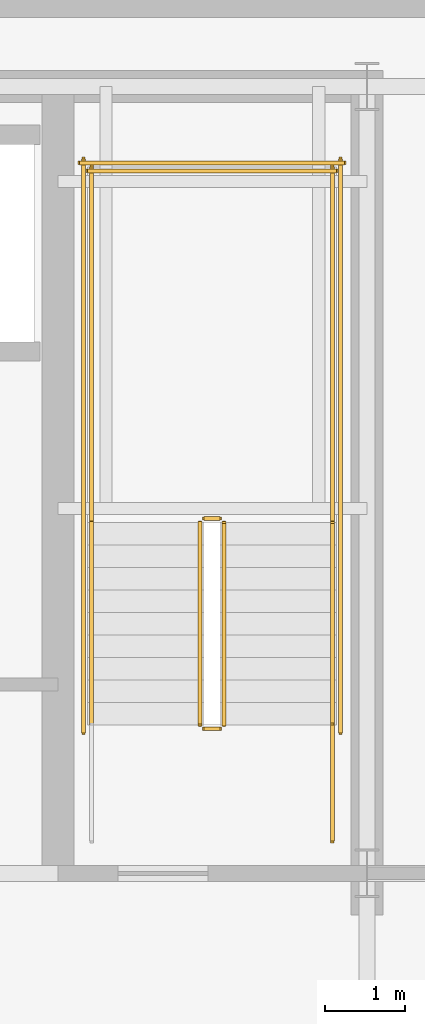
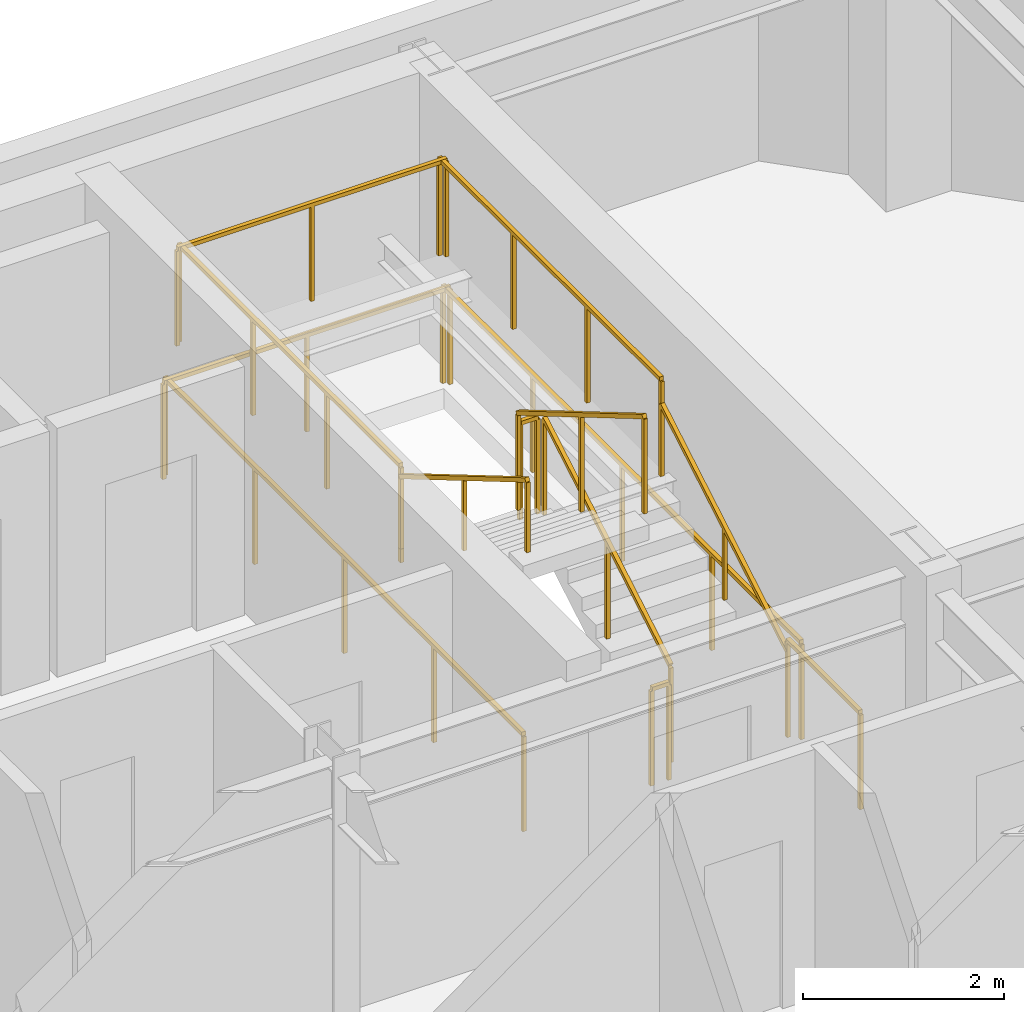
# One storey, part 11 of 14: 13 railings.
"""IFC4 building model written with IfcOpenShell, lengths in metres."""

from ifc_helpers import new_model, si_unit, direction, frame, origin, origin_2d, place, context, subcontext, project, spatial, rectangle, extrude, material, type_object, element, save


model = new_model("IFC4")

# Units and contexts
model_context = context("Model", 3, precision=1e-05, world=origin(), true_north=direction((0.0, 1.0)))
body_context = subcontext(model_context, "Body", "Model", "MODEL_VIEW")
ifc_project = project(units=[si_unit("LENGTHUNIT", "METRE"), si_unit("AREAUNIT", "SQUARE_METRE"), si_unit("VOLUMEUNIT", "CUBIC_METRE"), si_unit("PLANEANGLEUNIT", "RADIAN"), si_unit("MASSUNIT", "GRAM", prefix="KILO")], contexts=[model_context])

# Site, building, storey
site_placement = place(None, origin())
site = spatial("IfcSite", under=ifc_project, at=site_placement, CompositionType="ELEMENT")
building_placement = place(site_placement, origin())
building = spatial("IfcBuilding", under=site, at=building_placement, Name="Haevon Station Towers", CompositionType="ELEMENT")
storey_placement = place(building_placement, frame((0.0, 0.0, 205.5)))
storey = spatial("IfcBuildingStorey", under=building, at=storey_placement, Name="L56", CompositionType="ELEMENT", Elevation=205.5)

# Railings
ifc_material = material(Name="Steel S355", Category="steel")
railing_type_1 = type_object("IfcRailingType", Name="GRD-STR1200", PredefinedType="GUARDRAIL", material=ifc_material)
railing_1_placement = place(storey_placement, frame((49.219970703125, 40.050048828125, 0.1650390625)))
element("IfcRailing", 1, at=railing_1_placement, inside=storey, type_object=railing_type_1, Name="L56 ST2 Stair Guard 1", PredefinedType="GUARDRAIL", context=body_context, shape_type="SweptSolid", body=[
    extrude(rectangle(XDim=0.048095703125, YDim=0.048095703125, at=origin_2d()), frame((0.0, 0.0, 1.17578125), z_axis=(0.0, 0.861560626758, 0.507654692109), x_axis=(-1.0, 0.0, 0.0)), (0.0, 0.0, 1.0), 2.925048828125),
    extrude(rectangle(XDim=0.0419921875, YDim=0.0419921875, at=origin_2d()), origin(), (0.0, 0.0, 1.0), 1.15185546875),
    extrude(rectangle(XDim=0.0419921875, YDim=0.0419921875, at=origin_2d()), frame((0.0, 1.260009765625, 0.742431640625)), (0.0, 0.0, 1.0), 1.15185546875),
    extrude(rectangle(XDim=0.0419921875, YDim=0.0419921875, at=origin_2d()), frame((0.0, 2.52001953125, 1.48486328125)), (0.0, 0.0, 1.0), 1.15185546875),
])
railing_2_placement = place(storey_placement, frame((49.169921875, 42.6201171875, 1.64990234375)))
element("IfcRailing", 2, at=railing_2_placement, inside=storey, type_object=railing_type_1, Name="L56 ST2 Stair Guard 2", PredefinedType="GUARDRAIL", context=body_context, shape_type="SweptSolid", body=[
    extrude(rectangle(XDim=0.048095703125, YDim=0.048095703125, at=origin_2d()), frame((0.0, 0.0, 1.17578125), z_axis=(-1.0, 0.0, 0.0), x_axis=(0.0, -1.0, 0.0)), (0.0, 0.0, 1.0), 0.199951171875),
    extrude(rectangle(XDim=0.0419921875, YDim=0.0419921875, at=origin_2d()), origin(), (0.0, 0.0, 1.0), 1.15185546875),
    extrude(rectangle(XDim=0.0419921875, YDim=0.0419921875, at=origin_2d()), frame((-0.199951171875, 0.0, 0.0)), (0.0, 0.0, 1.0), 1.15185546875),
])
for number, where, name in (
    (3, (50.570068359375, 42.570068359375, 1.64990234375), "L56 ST2 Stair Guard 3"),
    (4, (47.570068359375, 42.570068359375, 1.64990234375), "L56 ST2 Stair Guard 4"),
):
    element("IfcRailing", number, at=place(storey_placement, frame(where)), inside=storey, type_object=railing_type_1, Name=name, PredefinedType="GUARDRAIL", context=body_context, shape_type="SweptSolid", body=[
        extrude(rectangle(XDim=0.048095703125, YDim=0.048095703125, at=origin_2d()), frame((0.0, 0.0, 1.17578125), z_axis=(0.0, 1.0, 0.0), x_axis=(-1.0, 0.0, 0.0)), (0.0, 0.0, 1.0), 4.429931640625),
        extrude(rectangle(XDim=0.0419921875, YDim=0.0419921875, at=origin_2d()), origin(), (0.0, 0.0, 1.0), 1.15185546875),
        extrude(rectangle(XDim=0.0419921875, YDim=0.0419921875, at=origin_2d()), frame((0.0, 1.4765625, 0.0)), (0.0, 0.0, 1.0), 1.15185546875),
        extrude(rectangle(XDim=0.0419921875, YDim=0.0419921875, at=origin_2d()), frame((0.0, 2.953369140625, 0.0)), (0.0, 0.0, 1.0), 1.15185546875),
        extrude(rectangle(XDim=0.0419921875, YDim=0.0419921875, at=origin_2d()), frame((0.0, 4.429931640625, 0.0)), (0.0, 0.0, 1.0), 1.15185546875),
    ])
railing_3_placement = place(storey_placement, frame((50.6201171875, 46.949951171875, 1.64990234375)))
element("IfcRailing", 5, at=railing_3_placement, inside=storey, type_object=railing_type_1, Name="L56 ST2 Stair Guard 5", PredefinedType="GUARDRAIL", context=body_context, shape_type="SweptSolid", body=[
    extrude(rectangle(XDim=0.048095703125, YDim=0.048095703125, at=origin_2d()), frame((0.0, 0.0, 1.17578125), z_axis=(-1.0, 0.0, 0.0), x_axis=(0.0, -1.0, 0.0)), (0.0, 0.0, 1.0), 3.10009765625),
    extrude(rectangle(XDim=0.0419921875, YDim=0.0419921875, at=origin_2d()), origin(), (0.0, 0.0, 1.0), 1.15185546875),
    extrude(rectangle(XDim=0.0419921875, YDim=0.0419921875, at=origin_2d()), frame((-1.550048828125, 0.0, 0.0)), (0.0, 0.0, 1.0), 1.15185546875),
    extrude(rectangle(XDim=0.0419921875, YDim=0.0419921875, at=origin_2d()), frame((-3.10009765625, 0.0, 0.0)), (0.0, 0.0, 1.0), 1.15185546875),
])
railing_4_placement = place(storey_placement, frame((48.919921875, 42.570068359375, 1.81494140625)))
element("IfcRailing", 6, at=railing_4_placement, inside=storey, type_object=railing_type_1, Name="L56 ST2 Stair Guard 6", PredefinedType="GUARDRAIL", context=body_context, shape_type="SweptSolid", body=[
    extrude(rectangle(XDim=0.048095703125, YDim=0.048095703125, at=origin_2d()), frame((0.0, 0.0, 1.17578125), z_axis=(0.0, -0.86152411907, 0.507716645641), x_axis=(1.0, 0.0, 0.0)), (0.0, 0.0, 1.0), 2.925048828125),
    extrude(rectangle(XDim=0.0419921875, YDim=0.0419921875, at=origin_2d()), origin(), (0.0, 0.0, 1.0), 1.15185546875),
    extrude(rectangle(XDim=0.0419921875, YDim=0.0419921875, at=origin_2d()), frame((0.0, -1.260009765625, 0.74267578125)), (0.0, 0.0, 1.0), 1.15185546875),
    extrude(rectangle(XDim=0.0419921875, YDim=0.0419921875, at=origin_2d()), frame((0.0, -2.52001953125, 1.485107421875)), (0.0, 0.0, 1.0), 1.15185546875),
])
railing_5_placement = place(storey_placement, frame((49.169921875, 40.0, 0.0)))
element("IfcRailing", 7, at=railing_5_placement, inside=storey, type_object=railing_type_1, Name="L56 ST2 Stair Guard 7", PredefinedType="GUARDRAIL", context=body_context, shape_type="SweptSolid", body=[
    extrude(rectangle(XDim=0.048095703125, YDim=0.048095703125, at=origin_2d()), frame((0.0, 0.0, 1.17578125), z_axis=(-1.0, 0.0, 0.0), x_axis=(0.0, -1.0, 0.0)), (0.0, 0.0, 1.0), 0.199951171875),
    extrude(rectangle(XDim=0.0419921875, YDim=0.0419921875, at=origin_2d()), origin(), (0.0, 0.0, 1.0), 1.15185546875),
    extrude(rectangle(XDim=0.0419921875, YDim=0.0419921875, at=origin_2d()), frame((-0.199951171875, 0.0, 0.0)), (0.0, 0.0, 1.0), 1.15185546875),
])
railing_6_placement = place(storey_placement, frame((50.570068359375, 38.60009765625, 0.0)))
element("IfcRailing", 8, at=railing_6_placement, inside=storey, type_object=railing_type_1, Name="L56 ST2 Stair Guard 8", PredefinedType="GUARDRAIL", context=body_context, shape_type="SweptSolid", body=[
    extrude(rectangle(XDim=0.048095703125, YDim=0.048095703125, at=origin_2d()), frame((0.0, 0.0, 1.17578125), z_axis=(0.0, 1.0, 0.0), x_axis=(-1.0, 0.0, 0.0)), (0.0, 0.0, 1.0), 1.449951171875),
    extrude(rectangle(XDim=0.0419921875, YDim=0.0419921875, at=origin_2d()), origin(), (0.0, 0.0, 1.0), 1.15185546875),
    extrude(rectangle(XDim=0.0419921875, YDim=0.0419921875, at=origin_2d()), frame((0.0, 1.449951171875, 0.0)), (0.0, 0.0, 1.0), 1.15185546875),
])
for number, where, name in (
    (9, (50.669921875, 39.949951171875, 0.0), "L56 ST2 Stair Guard 10"),
    (10, (47.469970703125, 39.949951171875, 0.0), "L56 ST2 Stair Guard 11"),
):
    element("IfcRailing", number, at=place(storey_placement, frame(where)), inside=storey, type_object=railing_type_1, Name=name, PredefinedType="GUARDRAIL", context=body_context, shape_type="SweptSolid", body=[
        extrude(rectangle(XDim=0.048095703125, YDim=0.048095703125, at=origin_2d()), frame((0.0, 0.0, 1.17578125), z_axis=(0.0, 1.0, 0.0), x_axis=(-1.0, 0.0, 0.0)), (0.0, 0.0, 1.0), 7.150146484375),
        extrude(rectangle(XDim=0.0419921875, YDim=0.0419921875, at=origin_2d()), origin(), (0.0, 0.0, 1.0), 1.15185546875),
        extrude(rectangle(XDim=0.0419921875, YDim=0.0419921875, at=origin_2d()), frame((0.0, 1.78759765625, 0.0)), (0.0, 0.0, 1.0), 1.15185546875),
        extrude(rectangle(XDim=0.0419921875, YDim=0.0419921875, at=origin_2d()), frame((0.0, 3.5751953125, 0.0)), (0.0, 0.0, 1.0), 1.15185546875),
        extrude(rectangle(XDim=0.0419921875, YDim=0.0419921875, at=origin_2d()), frame((0.0, 5.362548828125, 0.0)), (0.0, 0.0, 1.0), 1.15185546875),
        extrude(rectangle(XDim=0.0419921875, YDim=0.0419921875, at=origin_2d()), frame((0.0, 7.150146484375, 0.0)), (0.0, 0.0, 1.0), 1.15185546875),
    ])
railing_7_placement = place(storey_placement, frame((50.719970703125, 47.050048828125, 0.0)))
element("IfcRailing", 11, at=railing_7_placement, inside=storey, type_object=railing_type_1, Name="L56 ST2 Stair Guard 12", PredefinedType="GUARDRAIL", context=body_context, shape_type="SweptSolid", body=[
    extrude(rectangle(XDim=0.048095703125, YDim=0.048095703125, at=origin_2d()), frame((0.0, 0.0, 1.17578125), z_axis=(-1.0, 0.0, 0.0), x_axis=(0.0, -1.0, 0.0)), (0.0, 0.0, 1.0), 3.300048828125),
    extrude(rectangle(XDim=0.0419921875, YDim=0.0419921875, at=origin_2d()), origin(), (0.0, 0.0, 1.0), 1.15185546875),
    extrude(rectangle(XDim=0.0419921875, YDim=0.0419921875, at=origin_2d()), frame((-1.64990234375, 0.0, 0.0)), (0.0, 0.0, 1.0), 1.15185546875),
    extrude(rectangle(XDim=0.0419921875, YDim=0.0419921875, at=origin_2d()), frame((-3.300048828125, 0.0, 0.0)), (0.0, 0.0, 1.0), 1.15185546875),
])
railing_type_2 = type_object("IfcRailingType", Name="HND-STR900", PredefinedType="HANDRAIL", material=ifc_material)
railing_8_placement = place(storey_placement, frame((50.570068359375, 40.050048828125, 0.1650390625)))
element("IfcRailing", 12, at=railing_8_placement, inside=storey, type_object=railing_type_2, Name="L56 ST2 Stair Handrail 1", PredefinedType="HANDRAIL", context=body_context, shape_type="SweptSolid", body=[
    extrude(rectangle(XDim=0.048095703125, YDim=0.048095703125, at=origin_2d()), frame((0.0, 0.0, 0.8759765625), z_axis=(0.0, 0.861560626758, 0.507654692109), x_axis=(-1.0, 0.0, 0.0)), (0.0, 0.0, 1.0), 2.925048828125),
    extrude(rectangle(XDim=0.0419921875, YDim=0.0419921875, at=origin_2d()), origin(), (0.0, 0.0, 1.0), 0.851806640625),
    extrude(rectangle(XDim=0.0419921875, YDim=0.0419921875, at=origin_2d()), frame((0.0, 1.260009765625, 0.742431640625)), (0.0, 0.0, 1.0), 0.851806640625),
    extrude(rectangle(XDim=0.0419921875, YDim=0.0419921875, at=origin_2d()), frame((0.0, 2.52001953125, 1.48486328125)), (0.0, 0.0, 1.0), 0.851806640625),
])
railing_9_placement = place(storey_placement, frame((47.570068359375, 42.570068359375, 1.81494140625)))
element("IfcRailing", 13, at=railing_9_placement, inside=storey, type_object=railing_type_2, Name="L56 ST2 Stair Handrail 2", PredefinedType="HANDRAIL", context=body_context, shape_type="SweptSolid", body=[
    extrude(rectangle(XDim=0.048095703125, YDim=0.048095703125, at=origin_2d()), frame((0.0, 0.0, 0.8759765625), z_axis=(0.0, -0.86152411907, 0.507716645641), x_axis=(1.0, 0.0, 0.0)), (0.0, 0.0, 1.0), 2.925048828125),
    extrude(rectangle(XDim=0.0419921875, YDim=0.0419921875, at=origin_2d()), origin(), (0.0, 0.0, 1.0), 0.851806640625),
    extrude(rectangle(XDim=0.0419921875, YDim=0.0419921875, at=origin_2d()), frame((0.0, -1.260009765625, 0.74267578125)), (0.0, 0.0, 1.0), 0.851806640625),
    extrude(rectangle(XDim=0.0419921875, YDim=0.0419921875, at=origin_2d()), frame((0.0, -2.52001953125, 1.485107421875)), (0.0, 0.0, 1.0), 0.851806640625),
])

save(model, "model.ifc")
